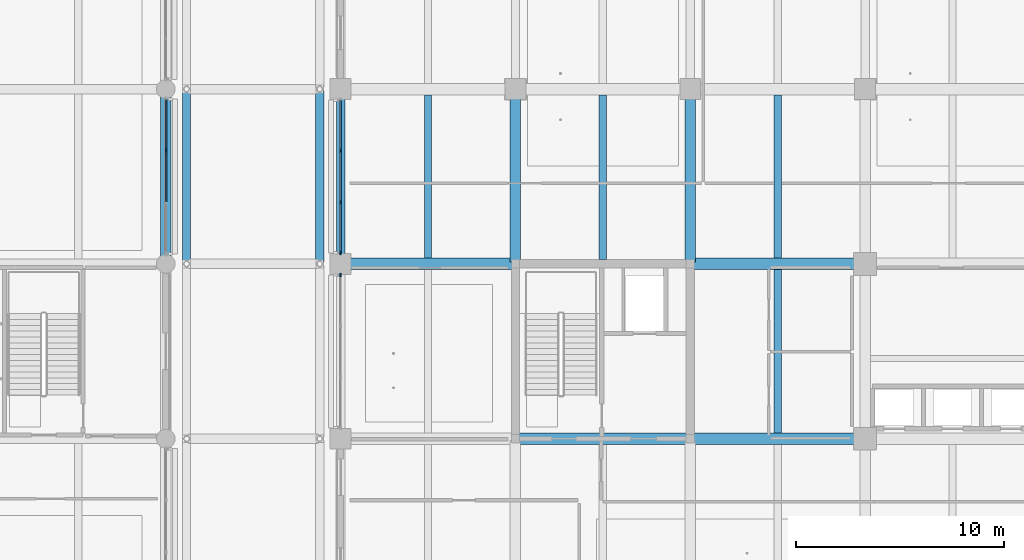
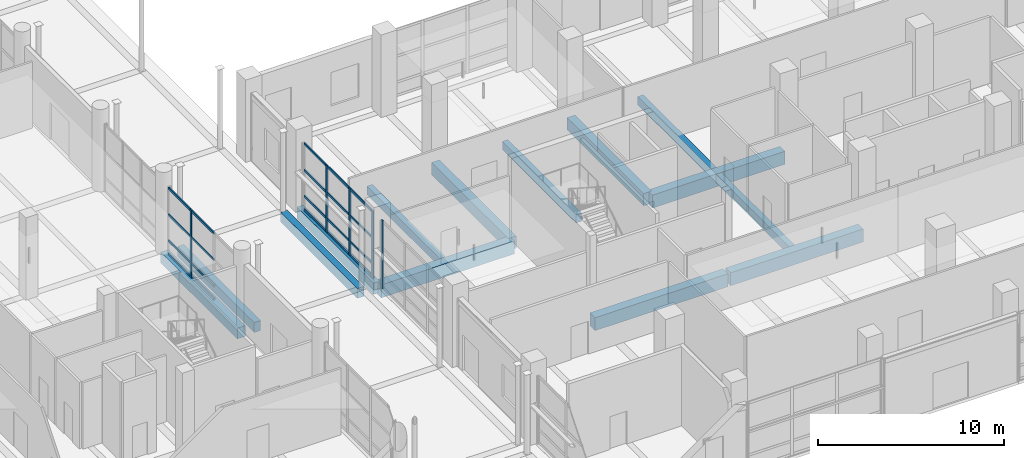
# One storey, part 22 of 140: 25 members, 14 beams, 3 elements without a shape of their own.
"""IFC4 building model written with IfcOpenShell, lengths in metres."""

import ifcopenshell
import ifcopenshell.guid

model = None  # the IFC model being written
_history = None  # IfcOwnerHistory: only IFC2X3 demands one
_inside = {}  # id of a spatial element -> (the spatial element, [elements in it])
_under = {}  # id of a project, library or spatial element -> (it, [spatial elements below it])
_declared = {}  # id of a project -> (the project, [libraries it declares])
_typed = {}  # id of a type object -> (the type object, [elements of that type])
_made_of = {}  # id of a material, layer set ... -> (it, [elements and type objects made of it])


def new_model(schema):
    """Start an empty IFC model of exactly this schema.

    Asked for "IFC4X3", IfcOpenShell would pick the latest addendum, in which some entities
    have other attributes; the version numbers below select the first issue.
    IFC2X3 requires an IfcOwnerHistory on every rooted entity: one is made here for all.
    """
    global model, _history
    if schema == "IFC4X3":
        model = ifcopenshell.file(schema_version=(4, 3, 0, 0))
    else:
        model = ifcopenshell.file(schema=schema)
    _inside.clear()
    _under.clear()
    _declared.clear()
    _typed.clear()
    _made_of.clear()
    _history = None
    if model.schema == "IFC2X3":
        org = make("IfcOrganization", Name="unknown")
        user = make(
            "IfcPersonAndOrganization",
            ThePerson=make("IfcPerson", FamilyName="unknown"),
            TheOrganization=org,
        )
        app = make(
            "IfcApplication",
            ApplicationDeveloper=org,
            Version="unknown",
            ApplicationFullName="unknown",
            ApplicationIdentifier="unknown",
        )
        _history = make(
            "IfcOwnerHistory",
            OwningUser=user,
            OwningApplication=app,
            ChangeAction="ADDED",
            CreationDate=0,
        )
    return model


def make(cls, **values):
    """One entity of the class cls with the attributes given. An attribute that is None is left unset."""
    return model.create_entity(
        cls, **{name: value for name, value in values.items() if value is not None}
    )


def rooted(cls, **values):
    """An entity with a GlobalId (a new one), such as an element, a storey or a relation."""
    return make(cls, GlobalId=ifcopenshell.guid.new(), OwnerHistory=_history, **values)


def si_unit(unit_type, name, prefix=None):
    """IfcSIUnit, for example si_unit("LENGTHUNIT", "METRE", prefix="MILLI")."""
    return make("IfcSIUnit", UnitType=unit_type, Prefix=prefix, Name=name)


def assignment(units):
    """IfcUnitAssignment: the units of a project."""
    return None if units is None else make("IfcUnitAssignment", Units=units)


def point(xyz):
    """IfcCartesianPoint."""
    return None if xyz is None else make("IfcCartesianPoint", Coordinates=xyz)


def direction(xyz):
    """IfcDirection."""
    return None if xyz is None else make("IfcDirection", DirectionRatios=xyz)


def frame(location, z_axis=None, x_axis=None):
    """IfcAxis2Placement3D, a coordinate frame: its origin and axes. An axis left out is left unset."""
    return make(
        "IfcAxis2Placement3D",
        Location=point(location),
        Axis=direction(z_axis),
        RefDirection=direction(x_axis),
    )


def frame_2d(location, x_axis=None):
    """IfcAxis2Placement2D, a coordinate frame in the plane: its origin and x axis."""
    return make(
        "IfcAxis2Placement2D", Location=point(location), RefDirection=direction(x_axis)
    )


def origin():
    """The frame at (0, 0, 0) with its axes left unset."""
    return frame((0.0, 0.0, 0.0))


def origin_2d():
    """The frame at (0, 0) in the plane with its x axis left unset."""
    return frame_2d((0.0, 0.0))


def place(relative_to, where):
    """IfcLocalPlacement: puts the frame where relative to a parent placement (None: the world)."""
    return make(
        "IfcLocalPlacement", PlacementRelTo=relative_to, RelativePlacement=where
    )


def context(
    kind, dimensions, precision=None, world=None, true_north=None, identifier=None
):
    """IfcGeometricRepresentationContext, for example the 3D "Model" context."""
    return make(
        "IfcGeometricRepresentationContext",
        ContextIdentifier=identifier,
        ContextType=kind,
        CoordinateSpaceDimension=dimensions,
        Precision=precision,
        WorldCoordinateSystem=world,
        TrueNorth=true_north,
    )


def subcontext(parent, identifier, kind, view, scale=None):
    """IfcGeometricRepresentationSubContext, for example "Body" below "Model"."""
    return make(
        "IfcGeometricRepresentationSubContext",
        ContextIdentifier=identifier,
        ContextType=kind,
        ParentContext=parent,
        TargetScale=scale,
        TargetView=view,
    )


def project(units=None, contexts=None):
    """IfcProject with its units and contexts."""
    return rooted(
        "IfcProject",
        Name="project",
        RepresentationContexts=contexts,
        UnitsInContext=assignment(units),
    )


def spatial(cls, under=None, at=None, **own):
    """A site, building, storey or space (cls), placed at a placement, below another one or the project."""
    s = rooted(cls, ObjectPlacement=at, **own)
    if under is not None:
        _under.setdefault(under.id(), (under, []))[1].append(s)
    return s


def profile(cls, at=None, kind="AREA", **sizes):
    """A parametric profile (cls). Its sizes go by their IFC names, for example OverallWidth=200.0."""
    return make(cls, ProfileType=kind, Position=at, **sizes)


def rectangle(**sizes):
    """IfcRectangleProfileDef."""
    return profile("IfcRectangleProfileDef", **sizes)


def extrude(swept, where, along, depth):
    """IfcExtrudedAreaSolid: the profile swept, set in the frame where, extruded along a direction by depth."""
    return make(
        "IfcExtrudedAreaSolid",
        SweptArea=swept,
        Position=where,
        ExtrudedDirection=direction(along),
        Depth=depth,
    )


def shape(context_of_items, identifier, shape_type, items):
    """IfcShapeRepresentation: the items that make up one representation, for example the "Body"."""
    return make(
        "IfcShapeRepresentation",
        ContextOfItems=context_of_items,
        RepresentationIdentifier=identifier,
        RepresentationType=shape_type,
        Items=items,
    )


def material(Name=None, Category=None):
    """IfcMaterial."""
    return make("IfcMaterial", Name=Name, Category=Category)


def layer(
    of_material, thickness, ventilated=None, Name=None, Category=None, Priority=None
):
    """IfcMaterialLayer: one layer of a wall or slab, of a material (None: an air gap)."""
    return make(
        "IfcMaterialLayer",
        Material=of_material,
        LayerThickness=thickness,
        IsVentilated=ventilated,
        Name=Name,
        Category=Category,
        Priority=Priority,
    )


def layer_set(layers, Name=None):
    """IfcMaterialLayerSet."""
    return make("IfcMaterialLayerSet", MaterialLayers=layers, LayerSetName=Name)


def material_profile(
    of_material, cross_section, Name=None, Category=None, Priority=None
):
    """IfcMaterialProfile: a cross section and its material."""
    return make(
        "IfcMaterialProfile",
        Name=Name,
        Material=of_material,
        Profile=cross_section,
        Priority=Priority,
        Category=Category,
    )


def profile_set(profiles, Name=None, composite=None):
    """IfcMaterialProfileSet."""
    return make(
        "IfcMaterialProfileSet",
        Name=Name,
        MaterialProfiles=profiles,
        CompositeProfile=composite,
    )


def made_of(thing, what):
    """Note that an element or type object is made of a material, layer set ...; save() writes the relation."""
    if what is not None:
        _made_of.setdefault(what.id(), (what, []))[1].append(thing)
    return thing


def type_object(cls, material=None, **own):
    """A type object (cls), such as IfcWallType, which elements share."""
    return made_of(rooted(cls, **own), material)


def element(
    cls,
    number,
    at=None,
    inside=None,
    cuts=None,
    type_object=None,
    material=None,
    context=None,
    identifier="Body",
    shape_type=None,
    held_by="IfcProductDefinitionShape",
    body=None,
    shapes=None,
    **own,
):
    """One element of the class cls, such as IfcWall. Its Tag is "e" and its number.

    at: its placement. inside: the storey or other place that contains it. cuts: it is an
    opening in that element (IfcRelVoidsElement). A single representation is given by context,
    identifier, shape_type and body (its items); several are given by shapes. held_by: the class
    of the entity that holds the representations. save() writes the other relations.
    """
    e = rooted(cls, Tag="e%d" % number, ObjectPlacement=at, **own)
    if body is not None:
        shapes = [shape(context, identifier, shape_type, body)]
    if shapes is not None:
        e.Representation = make(held_by, Representations=shapes)
    if inside is not None:
        _inside.setdefault(inside.id(), (inside, []))[1].append(e)
    if cuts is not None:
        rooted(
            "IfcRelVoidsElement", RelatingBuildingElement=cuts, RelatedOpeningElement=e
        )
    if type_object is not None:
        _typed.setdefault(type_object.id(), (type_object, []))[1].append(e)
    return made_of(e, material)


def aggregate(whole, parts):
    """IfcRelAggregates: a whole, such as a stair, and the parts it consists of."""
    return rooted("IfcRelAggregates", RelatingObject=whole, RelatedObjects=parts)


def save(model, path):
    """Write the relations noted so far, then the file.

    IfcRelAggregates (storeys below a building ...), IfcRelContainedInSpatialStructure (elements
    in a storey), IfcRelDefinesByType, IfcRelAssociatesMaterial and IfcRelDeclares: one each for
    every whole, place, type object, material and project.
    """
    for whole, parts in _under.values():
        aggregate(whole, parts)
    for where, things in _inside.values():
        rooted(
            "IfcRelContainedInSpatialStructure",
            RelatedElements=things,
            RelatingStructure=where,
        )
    for kind, things in _typed.values():
        rooted("IfcRelDefinesByType", RelatedObjects=things, RelatingType=kind)
    for what, things in _made_of.values():
        rooted("IfcRelAssociatesMaterial", RelatedObjects=things, RelatingMaterial=what)
    for by, libraries in _declared.values():
        rooted("IfcRelDeclares", RelatingContext=by, RelatedDefinitions=libraries)
    model.write(path)


model = new_model("IFC4")

# Units and contexts
model_context = context("Model", 3, precision=1e-05, world=origin(), true_north=direction((0.0, 1.0)))
body_context = subcontext(model_context, "Body", "Model", "MODEL_VIEW")
ifc_project = project(units=[si_unit("LENGTHUNIT", "METRE"), si_unit("AREAUNIT", "SQUARE_METRE"), si_unit("VOLUMEUNIT", "CUBIC_METRE"), si_unit("PLANEANGLEUNIT", "RADIAN"), si_unit("MASSUNIT", "GRAM", prefix="KILO")], contexts=[model_context])

# Site, building, storey
site_placement = place(None, origin())
site = spatial("IfcSite", under=ifc_project, at=site_placement, CompositionType="ELEMENT")
building_placement = place(site_placement, origin())
building = spatial("IfcBuilding", under=site, at=building_placement, Name="Telukmera Botanical Conservatory", CompositionType="ELEMENT")
storey_placement = place(building_placement, origin())
storey = spatial("IfcBuildingStorey", under=building, at=storey_placement, Name="L00", CompositionType="ELEMENT", Elevation=0.0)

# Beams
ifc_material_1 = material(Name="Concrete C40/50", Category="concrete")
ifc_material_profile_1 = material_profile(ifc_material_1, rectangle(XDim=0.5, YDim=0.699951171875, at=origin_2d()), Name="RC 500x700")
ifc_profile_set_1 = profile_set([ifc_material_profile_1], Name="Concrete C40/50")
beam_type_1 = type_object("IfcBeamType", Name="Beam_B14", PredefinedType="BEAM", material=ifc_profile_set_1)
beam_1_placement = place(storey_placement, frame((42.0, 34.47998046875, -0.35009765625), z_axis=(0.0, 1.0, 0.0), x_axis=(-1.0, 0.0, 0.0)))
element("IfcBeam", 1, at=beam_1_placement, inside=storey, type_object=beam_type_1, Name="Visitor Wing Transverse Beam L00", PredefinedType="BEAM", context=body_context, shape_type="SweptSolid", body=[
    extrude(rectangle(XDim=0.5, YDim=0.699951171875, at=origin_2d()), origin(), (0.0, 0.0, 1.0), 8.239990234375),
])
ifc_material_profile_2 = material_profile(ifc_material_1, rectangle(XDim=0.35009765625, YDim=0.550048828125, at=origin_2d()), Name="RC 350x550")
ifc_profile_set_2 = profile_set([ifc_material_profile_2], Name="Concrete C40/50")
beam_type_2 = type_object("IfcBeamType", Name="Beam_B21", PredefinedType="JOIST", material=ifc_profile_set_2)
beam_2_placement = place(storey_placement, frame((54.60009765625, 34.675048828125, -0.27490234375), z_axis=(0.0, 1.0, 0.0), x_axis=(-1.0, 0.0, 0.0)))
element("IfcBeam", 2, at=beam_2_placement, inside=storey, type_object=beam_type_2, Name="Tower Secondary Floor Joist L00", PredefinedType="JOIST", context=body_context, shape_type="SweptSolid", body=[
    extrude(rectangle(XDim=0.35009765625, YDim=0.550048828125, at=origin_2d()), origin(), (0.0, 0.0, 1.0), 7.849853515625),
])
beam_3_placement = place(storey_placement, frame((63.0, 34.60009765625, -0.27490234375), z_axis=(0.0, 1.0, 0.0), x_axis=(-1.0, 0.0, 0.0)))
element("IfcBeam", 3, at=beam_3_placement, inside=storey, type_object=beam_type_2, Name="Tower Secondary Floor Joist L00", PredefinedType="JOIST", context=body_context, shape_type="SweptSolid", body=[
    extrude(rectangle(XDim=0.35009765625, YDim=0.550048828125, at=origin_2d()), origin(), (0.0, 0.0, 1.0), 7.9248046875),
])
beam_4_placement = place(storey_placement, frame((71.39990234375, 26.27490234375, -0.27490234375), z_axis=(0.0, 1.0, 0.0), x_axis=(-1.0, 0.0, 0.0)))
element("IfcBeam", 4, at=beam_4_placement, inside=storey, type_object=beam_type_2, Name="Tower Secondary Floor Joist L00", PredefinedType="JOIST", context=body_context, shape_type="SweptSolid", body=[
    extrude(rectangle(XDim=0.35009765625, YDim=0.550048828125, at=origin_2d()), origin(), (0.0, 0.0, 1.0), 7.85009765625),
])
beam_5_placement = place(storey_placement, frame((71.39990234375, 34.675048828125, -0.27490234375), z_axis=(0.0, 1.0, 0.0), x_axis=(-1.0, 0.0, 0.0)))
element("IfcBeam", 5, at=beam_5_placement, inside=storey, type_object=beam_type_2, Name="Tower Secondary Floor Joist L00", PredefinedType="JOIST", context=body_context, shape_type="SweptSolid", body=[
    extrude(rectangle(XDim=0.35009765625, YDim=0.550048828125, at=origin_2d()), origin(), (0.0, 0.0, 1.0), 7.849853515625),
])
ifc_material_profile_3 = material_profile(ifc_material_1, rectangle(XDim=0.550048828125, YDim=0.85009765625, at=origin_2d()), Name="RC 550x850")
ifc_profile_set_3 = profile_set([ifc_material_profile_3], Name="Concrete C40/50")
beam_type_3 = type_object("IfcBeamType", Name="Beam_B4", PredefinedType="BEAM", material=ifc_profile_set_3)
beam_6_placement = place(storey_placement, frame((58.8798828125, 26.0, -0.425048828125), z_axis=(1.0, 0.0, 0.0), x_axis=(0.0, 1.0, 0.0)))
element("IfcBeam", 6, at=beam_6_placement, inside=storey, type_object=beam_type_3, Name="Tower Grid Beam L00", PredefinedType="BEAM", context=body_context, shape_type="SweptSolid", body=[
    extrude(rectangle(XDim=0.550048828125, YDim=0.85009765625, at=origin_2d()), origin(), (0.0, 0.0, 1.0), 8.240234375),
])
for number, where, z_axis, x_axis, name in (
    (7, (67.280029296875, 26.0, -0.425048828125), (1.0, 0.0, 0.0), (0.0, 1.0, 0.0), "Tower Grid Beam L00"),
    (8, (50.47998046875, 34.39990234375, -0.425048828125), (1.0, 0.0, 0.0), (0.0, 1.0, 0.0), "Tower Grid Beam L00"),
    (9, (67.280029296875, 34.39990234375, -0.425048828125), (1.0, 0.0, 0.0), (0.0, 1.0, 0.0), "Tower Grid Beam L00"),
):
    element("IfcBeam", number, at=place(storey_placement, frame(where, z_axis=z_axis, x_axis=x_axis)), inside=storey, type_object=beam_type_3, Name=name, PredefinedType="BEAM", context=body_context, shape_type="SweptSolid", body=[
        extrude(rectangle(XDim=0.550048828125, YDim=0.85009765625, at=origin_2d()), origin(), (0.0, 0.0, 1.0), 8.239990234375),
    ])
ifc_material_profile_4 = material_profile(ifc_material_1, rectangle(XDim=0.5, YDim=0.800048828125, at=origin_2d()), Name="RC 500x800")
ifc_profile_set_4 = profile_set([ifc_material_profile_4], Name="Concrete C40/50")
beam_type_4 = type_object("IfcBeamType", Name="Beam_B5", PredefinedType="BEAM", material=ifc_profile_set_4)
for number, where, z_axis, x_axis, name in (
    (10, (58.800048828125, 34.47998046875, -0.39990234375), (0.0, 1.0, 0.0), (-1.0, 0.0, 0.0), "Tower Transverse Beam L00"),
    (11, (67.199951171875, 34.47998046875, -0.39990234375), (0.0, 1.0, 0.0), (-1.0, 0.0, 0.0), "Tower Transverse Beam L00"),
):
    element("IfcBeam", number, at=place(storey_placement, frame(where, z_axis=z_axis, x_axis=x_axis)), inside=storey, type_object=beam_type_4, Name=name, PredefinedType="BEAM", context=body_context, shape_type="SweptSolid", body=[
        extrude(rectangle(XDim=0.5, YDim=0.800048828125, at=origin_2d()), origin(), (0.0, 0.0, 1.0), 8.239990234375),
    ])
ifc_material_profile_5 = material_profile(ifc_material_1, rectangle(XDim=0.39990234375, YDim=0.64990234375, at=origin_2d()), Name="RC 400x650")
ifc_profile_set_5 = profile_set([ifc_material_profile_5], Name="Concrete C40/50")
beam_type_5 = type_object("IfcBeamType", Name="Beam_B8", PredefinedType="BEAM", material=ifc_profile_set_5)
for number, where, z_axis, x_axis, name in (
    (12, (43.0, 34.47998046875, -0.324951171875), (0.0, 1.0, 0.0), (-1.0, 0.0, 0.0), "West Arcade Deck Girder L00"),
    (13, (49.39990234375, 34.47998046875, -0.324951171875), (0.0, 1.0, 0.0), (-1.0, 0.0, 0.0), "West Arcade Deck Girder L00"),
):
    element("IfcBeam", number, at=place(storey_placement, frame(where, z_axis=z_axis, x_axis=x_axis)), inside=storey, type_object=beam_type_5, Name=name, PredefinedType="BEAM", context=body_context, shape_type="SweptSolid", body=[
        extrude(rectangle(XDim=0.39990234375, YDim=0.64990234375, at=origin_2d()), origin(), (0.0, 0.0, 1.0), 8.239990234375),
    ])
ifc_material_2 = material(Name="Precast concrete C40/50", Category="concrete")
ifc_material_profile_6 = material_profile(ifc_material_2, rectangle(XDim=0.39990234375, YDim=0.75, at=origin_2d()), Name="PC 400x750")
ifc_profile_set_6 = profile_set([ifc_material_profile_6], Name="Precast concrete C40/50")
beam_type_6 = type_object("IfcBeamType", Name="Beam_SP1", PredefinedType="SPANDREL", material=ifc_profile_set_6)
beam_7_placement = place(storey_placement, frame((50.39990234375, 34.47998046875, -0.375), z_axis=(0.0, 1.0, 0.0), x_axis=(-1.0, 0.0, 0.0)))
element("IfcBeam", 14, at=beam_7_placement, inside=storey, type_object=beam_type_6, Name="Tower Transverse Beam L00", PredefinedType="SPANDREL", context=body_context, shape_type="SweptSolid", body=[
    extrude(rectangle(XDim=0.39990234375, YDim=0.75, at=origin_2d()), origin(), (0.0, 0.0, 1.0), 8.239990234375),
])

# Curtain wall, member
ifc_material_3 = material(Name="Anodised aluminium 6063-T6", Category="aluminium")
ifc_layer_1 = layer(ifc_material_3, 0.179931640625)
ifc_layer_set_1 = layer_set([ifc_layer_1], Name="Anodised aluminium 6063-T6")
curtain_wall_type_1 = type_object("IfcCurtainWallType", Name="Visitor Colonnade Ground Curtain Wall 2400 Mod", PredefinedType="USERDEFINED", material=ifc_layer_set_1)
curtain_wall_1_placement = place(storey_placement, origin())
curtain_wall_1 = element("IfcCurtainWall", 15, at=curtain_wall_1_placement, inside=storey, type_object=curtain_wall_type_1, Name="Unitised Curtain Wall CW07 V3:L00:E3", ObjectType="UNITISED CURTAIN WALL", PredefinedType="USERDEFINED")
ifc_material_profile_7 = material_profile(ifc_material_3, rectangle(XDim=0.070068359375, YDim=0.179931640625, at=origin_2d()), Name="ALU MULL 70x180")
ifc_profile_set_7 = profile_set([ifc_material_profile_7], Name="Anodised aluminium 6063-T6")
member_type_1 = type_object("IfcMemberType", Name="Curtain Wall Extruded Mullion 70x180", PredefinedType="MULLION", material=ifc_profile_set_7)
member_1_placement = place(storey_placement, frame((42.0, 39.849365234375, 0.0), z_axis=(0.0, 0.0, 1.0), x_axis=(-1.0, 0.0, 0.0)))
member_1 = element("IfcMember", 16, at=member_1_placement, type_object=member_type_1, Name="CW07 mullion 3", PredefinedType="MULLION", context=body_context, shape_type="SweptSolid", body=[
    extrude(rectangle(XDim=0.070068359375, YDim=0.179931640625, at=origin_2d()), origin(), (0.0, 0.0, 1.0), 4.449951171875),
])

ifc_layer_2 = layer(ifc_material_3, 0.179931640625)
ifc_layer_set_2 = layer_set([ifc_layer_2], Name="Anodised aluminium 6063-T6")
curtain_wall_type_2 = type_object("IfcCurtainWallType", Name="Tower Boulevard Podium Hall Curtain Wall", PredefinedType="USERDEFINED", material=ifc_layer_set_2)
curtain_wall_2_placement = place(storey_placement, origin())
curtain_wall_2 = element("IfcCurtainWall", 17, at=curtain_wall_2_placement, inside=storey, type_object=curtain_wall_type_2, Name="Unitised Curtain Wall CW12 V4:L00:W3", ObjectType="UNITISED CURTAIN WALL", PredefinedType="USERDEFINED")
member_2_placement = place(storey_placement, frame((50.39990234375, 33.863037109375, 0.0), z_axis=(0.0, 0.0, 1.0), x_axis=(-1.0, 0.0, 0.0)))
member_2 = element("IfcMember", 18, at=member_2_placement, type_object=member_type_1, Name="CW12 mullion 4", PredefinedType="MULLION", context=body_context, shape_type="SweptSolid", body=[
    extrude(rectangle(XDim=0.070068359375, YDim=0.179931640625, at=origin_2d()), origin(), (0.0, 0.0, 1.0), 4.449951171875),
])
aggregate(curtain_wall_2, [member_2])

# Curtain wall, members
curtain_wall_3_placement = place(storey_placement, origin())
curtain_wall_3 = element("IfcCurtainWall", 19, at=curtain_wall_3_placement, inside=storey, type_object=curtain_wall_type_2, Name="Unitised Curtain Wall CW12 V4:L00:W4", ObjectType="UNITISED CURTAIN WALL", PredefinedType="USERDEFINED")
member_3_placement = place(storey_placement, frame((50.39990234375, 34.93701171875, 0.0), z_axis=(0.0, 0.0, 1.0), x_axis=(-1.0, 0.0, 0.0)))
member_3 = element("IfcMember", 20, at=member_3_placement, type_object=member_type_1, Name="CW12 mullion 1", PredefinedType="MULLION", context=body_context, shape_type="SweptSolid", body=[
    extrude(rectangle(XDim=0.070068359375, YDim=0.179931640625, at=origin_2d()), origin(), (0.0, 0.0, 1.0), 4.449951171875),
])
member_4_placement = place(storey_placement, frame((50.39990234375, 37.367431640625, 0.0), z_axis=(0.0, 0.0, 1.0), x_axis=(-1.0, 0.0, 0.0)))
member_4 = element("IfcMember", 21, at=member_4_placement, type_object=member_type_1, Name="CW12 mullion 2", PredefinedType="MULLION", context=body_context, shape_type="SweptSolid", body=[
    extrude(rectangle(XDim=0.070068359375, YDim=0.179931640625, at=origin_2d()), origin(), (0.0, 0.0, 1.0), 4.449951171875),
])
member_5_placement = place(storey_placement, frame((50.39990234375, 39.832763671875, 0.0), z_axis=(0.0, 0.0, 1.0), x_axis=(-1.0, 0.0, 0.0)))
member_5 = element("IfcMember", 22, at=member_5_placement, type_object=member_type_1, Name="CW12 mullion 3", PredefinedType="MULLION", context=body_context, shape_type="SweptSolid", body=[
    extrude(rectangle(XDim=0.070068359375, YDim=0.179931640625, at=origin_2d()), origin(), (0.0, 0.0, 1.0), 4.449951171875),
])

# Member
ifc_material_profile_8 = material_profile(ifc_material_3, rectangle(XDim=0.070068359375, YDim=0.14990234375, at=origin_2d()), Name="ALU TRAN 70x150")
ifc_profile_set_8 = profile_set([ifc_material_profile_8], Name="Anodised aluminium 6063-T6")
member_type_2 = type_object("IfcMemberType", Name="Curtain Wall Extruded Transom 70x150", PredefinedType="USERDEFINED", material=ifc_profile_set_8)
member_6_placement = place(storey_placement, frame((42.0, 37.3857421875, 0.074951171875), z_axis=(0.0, 1.0, 0.0), x_axis=(-1.0, 0.0, 0.0)))
member_6 = element("IfcMember", 23, at=member_6_placement, type_object=member_type_2, Name="CW07 transom 2.1", ObjectType="TRANSOM", PredefinedType="USERDEFINED", context=body_context, shape_type="SweptSolid", body=[
    extrude(rectangle(XDim=0.070068359375, YDim=0.14990234375, at=origin_2d()), origin(), (0.0, 0.0, 1.0), 2.4287109375),
])

member_7_placement = place(storey_placement, frame((42.0, 37.3857421875, 0.949951171875), z_axis=(0.0, 1.0, 0.0), x_axis=(-1.0, 0.0, 0.0)))
member_7 = element("IfcMember", 24, at=member_7_placement, type_object=member_type_2, Name="CW07 transom 2.2", ObjectType="TRANSOM", PredefinedType="USERDEFINED", context=body_context, shape_type="SweptSolid", body=[
    extrude(rectangle(XDim=0.070068359375, YDim=0.14990234375, at=origin_2d()), origin(), (0.0, 0.0, 1.0), 2.4287109375),
])

member_8_placement = place(storey_placement, frame((42.0, 37.3857421875, 2.64990234375), z_axis=(0.0, 1.0, 0.0), x_axis=(-1.0, 0.0, 0.0)))
member_8 = element("IfcMember", 25, at=member_8_placement, type_object=member_type_2, Name="CW07 transom 2.3", ObjectType="TRANSOM", PredefinedType="USERDEFINED", context=body_context, shape_type="SweptSolid", body=[
    extrude(rectangle(XDim=0.070068359375, YDim=0.14990234375, at=origin_2d()), origin(), (0.0, 0.0, 1.0), 2.4287109375),
])

member_9_placement = place(storey_placement, frame((42.0, 37.3857421875, 4.375), z_axis=(0.0, 1.0, 0.0), x_axis=(-1.0, 0.0, 0.0)))
member_9 = element("IfcMember", 26, at=member_9_placement, type_object=member_type_2, Name="CW07 transom 2.4", ObjectType="TRANSOM", PredefinedType="USERDEFINED", context=body_context, shape_type="SweptSolid", body=[
    extrude(rectangle(XDim=0.070068359375, YDim=0.14990234375, at=origin_2d()), origin(), (0.0, 0.0, 1.0), 2.4287109375),
])

member_10_placement = place(storey_placement, frame((42.0, 39.88427734375, 0.074951171875), z_axis=(0.0, 1.0, 0.0), x_axis=(-1.0, 0.0, 0.0)))
member_10 = element("IfcMember", 27, at=member_10_placement, type_object=member_type_2, Name="CW07 transom 3.1", ObjectType="TRANSOM", PredefinedType="USERDEFINED", context=body_context, shape_type="SweptSolid", body=[
    extrude(rectangle(XDim=0.070068359375, YDim=0.14990234375, at=origin_2d()), origin(), (0.0, 0.0, 1.0), 2.393798828125),
])

member_11_placement = place(storey_placement, frame((42.0, 39.88427734375, 0.949951171875), z_axis=(0.0, 1.0, 0.0), x_axis=(-1.0, 0.0, 0.0)))
member_11 = element("IfcMember", 28, at=member_11_placement, type_object=member_type_2, Name="CW07 transom 3.2", ObjectType="TRANSOM", PredefinedType="USERDEFINED", context=body_context, shape_type="SweptSolid", body=[
    extrude(rectangle(XDim=0.070068359375, YDim=0.14990234375, at=origin_2d()), origin(), (0.0, 0.0, 1.0), 2.393798828125),
])

member_12_placement = place(storey_placement, frame((42.0, 39.88427734375, 2.64990234375), z_axis=(0.0, 1.0, 0.0), x_axis=(-1.0, 0.0, 0.0)))
member_12 = element("IfcMember", 29, at=member_12_placement, type_object=member_type_2, Name="CW07 transom 3.3", ObjectType="TRANSOM", PredefinedType="USERDEFINED", context=body_context, shape_type="SweptSolid", body=[
    extrude(rectangle(XDim=0.070068359375, YDim=0.14990234375, at=origin_2d()), origin(), (0.0, 0.0, 1.0), 2.393798828125),
])

member_13_placement = place(storey_placement, frame((42.0, 39.88427734375, 4.375), z_axis=(0.0, 1.0, 0.0), x_axis=(-1.0, 0.0, 0.0)))
member_13 = element("IfcMember", 30, at=member_13_placement, type_object=member_type_2, Name="CW07 transom 3.4", ObjectType="TRANSOM", PredefinedType="USERDEFINED", context=body_context, shape_type="SweptSolid", body=[
    extrude(rectangle(XDim=0.070068359375, YDim=0.14990234375, at=origin_2d()), origin(), (0.0, 0.0, 1.0), 2.393798828125),
])

aggregate(curtain_wall_1, [member_1, member_6, member_7, member_8, member_9, member_10, member_11, member_12, member_13])

member_14_placement = place(storey_placement, frame((50.39990234375, 34.971923828125, 0.074951171875), z_axis=(0.0, 1.0, 0.0), x_axis=(-1.0, 0.0, 0.0)))
member_14 = element("IfcMember", 31, at=member_14_placement, type_object=member_type_2, Name="CW12 transom 1.1", ObjectType="TRANSOM", PredefinedType="USERDEFINED", context=body_context, shape_type="SweptSolid", body=[
    extrude(rectangle(XDim=0.070068359375, YDim=0.14990234375, at=origin_2d()), origin(), (0.0, 0.0, 1.0), 2.3603515625),
])

member_15_placement = place(storey_placement, frame((50.39990234375, 34.971923828125, 0.949951171875), z_axis=(0.0, 1.0, 0.0), x_axis=(-1.0, 0.0, 0.0)))
member_15 = element("IfcMember", 32, at=member_15_placement, type_object=member_type_2, Name="CW12 transom 1.2", ObjectType="TRANSOM", PredefinedType="USERDEFINED", context=body_context, shape_type="SweptSolid", body=[
    extrude(rectangle(XDim=0.070068359375, YDim=0.14990234375, at=origin_2d()), origin(), (0.0, 0.0, 1.0), 2.3603515625),
])

member_16_placement = place(storey_placement, frame((50.39990234375, 34.971923828125, 2.64990234375), z_axis=(0.0, 1.0, 0.0), x_axis=(-1.0, 0.0, 0.0)))
member_16 = element("IfcMember", 33, at=member_16_placement, type_object=member_type_2, Name="CW12 transom 1.3", ObjectType="TRANSOM", PredefinedType="USERDEFINED", context=body_context, shape_type="SweptSolid", body=[
    extrude(rectangle(XDim=0.070068359375, YDim=0.14990234375, at=origin_2d()), origin(), (0.0, 0.0, 1.0), 2.3603515625),
])

member_17_placement = place(storey_placement, frame((50.39990234375, 34.971923828125, 4.375), z_axis=(0.0, 1.0, 0.0), x_axis=(-1.0, 0.0, 0.0)))
member_17 = element("IfcMember", 34, at=member_17_placement, type_object=member_type_2, Name="CW12 transom 1.4", ObjectType="TRANSOM", PredefinedType="USERDEFINED", context=body_context, shape_type="SweptSolid", body=[
    extrude(rectangle(XDim=0.070068359375, YDim=0.14990234375, at=origin_2d()), origin(), (0.0, 0.0, 1.0), 2.3603515625),
])

member_18_placement = place(storey_placement, frame((50.39990234375, 37.40234375, 0.074951171875), z_axis=(0.0, 1.0, 0.0), x_axis=(-1.0, 0.0, 0.0)))
member_18 = element("IfcMember", 35, at=member_18_placement, type_object=member_type_2, Name="CW12 transom 2.1", ObjectType="TRANSOM", PredefinedType="USERDEFINED", context=body_context, shape_type="SweptSolid", body=[
    extrude(rectangle(XDim=0.070068359375, YDim=0.14990234375, at=origin_2d()), origin(), (0.0, 0.0, 1.0), 2.395263671875),
])

member_19_placement = place(storey_placement, frame((50.39990234375, 37.40234375, 0.949951171875), z_axis=(0.0, 1.0, 0.0), x_axis=(-1.0, 0.0, 0.0)))
member_19 = element("IfcMember", 36, at=member_19_placement, type_object=member_type_2, Name="CW12 transom 2.2", ObjectType="TRANSOM", PredefinedType="USERDEFINED", context=body_context, shape_type="SweptSolid", body=[
    extrude(rectangle(XDim=0.070068359375, YDim=0.14990234375, at=origin_2d()), origin(), (0.0, 0.0, 1.0), 2.395263671875),
])

member_20_placement = place(storey_placement, frame((50.39990234375, 37.40234375, 2.64990234375), z_axis=(0.0, 1.0, 0.0), x_axis=(-1.0, 0.0, 0.0)))
member_20 = element("IfcMember", 37, at=member_20_placement, type_object=member_type_2, Name="CW12 transom 2.3", ObjectType="TRANSOM", PredefinedType="USERDEFINED", context=body_context, shape_type="SweptSolid", body=[
    extrude(rectangle(XDim=0.070068359375, YDim=0.14990234375, at=origin_2d()), origin(), (0.0, 0.0, 1.0), 2.395263671875),
])

member_21_placement = place(storey_placement, frame((50.39990234375, 37.40234375, 4.375), z_axis=(0.0, 1.0, 0.0), x_axis=(-1.0, 0.0, 0.0)))
member_21 = element("IfcMember", 38, at=member_21_placement, type_object=member_type_2, Name="CW12 transom 2.4", ObjectType="TRANSOM", PredefinedType="USERDEFINED", context=body_context, shape_type="SweptSolid", body=[
    extrude(rectangle(XDim=0.070068359375, YDim=0.14990234375, at=origin_2d()), origin(), (0.0, 0.0, 1.0), 2.395263671875),
])

member_22_placement = place(storey_placement, frame((50.39990234375, 39.86767578125, 0.074951171875), z_axis=(0.0, 1.0, 0.0), x_axis=(-1.0, 0.0, 0.0)))
member_22 = element("IfcMember", 39, at=member_22_placement, type_object=member_type_2, Name="CW12 transom 3.1", ObjectType="TRANSOM", PredefinedType="USERDEFINED", context=body_context, shape_type="SweptSolid", body=[
    extrude(rectangle(XDim=0.070068359375, YDim=0.14990234375, at=origin_2d()), origin(), (0.0, 0.0, 1.0), 2.3603515625),
])

member_23_placement = place(storey_placement, frame((50.39990234375, 39.86767578125, 0.949951171875), z_axis=(0.0, 1.0, 0.0), x_axis=(-1.0, 0.0, 0.0)))
member_23 = element("IfcMember", 40, at=member_23_placement, type_object=member_type_2, Name="CW12 transom 3.2", ObjectType="TRANSOM", PredefinedType="USERDEFINED", context=body_context, shape_type="SweptSolid", body=[
    extrude(rectangle(XDim=0.070068359375, YDim=0.14990234375, at=origin_2d()), origin(), (0.0, 0.0, 1.0), 2.3603515625),
])

member_24_placement = place(storey_placement, frame((50.39990234375, 39.86767578125, 2.64990234375), z_axis=(0.0, 1.0, 0.0), x_axis=(-1.0, 0.0, 0.0)))
member_24 = element("IfcMember", 41, at=member_24_placement, type_object=member_type_2, Name="CW12 transom 3.3", ObjectType="TRANSOM", PredefinedType="USERDEFINED", context=body_context, shape_type="SweptSolid", body=[
    extrude(rectangle(XDim=0.070068359375, YDim=0.14990234375, at=origin_2d()), origin(), (0.0, 0.0, 1.0), 2.3603515625),
])

member_25_placement = place(storey_placement, frame((50.39990234375, 39.86767578125, 4.375), z_axis=(0.0, 1.0, 0.0), x_axis=(-1.0, 0.0, 0.0)))
member_25 = element("IfcMember", 42, at=member_25_placement, type_object=member_type_2, Name="CW12 transom 3.4", ObjectType="TRANSOM", PredefinedType="USERDEFINED", context=body_context, shape_type="SweptSolid", body=[
    extrude(rectangle(XDim=0.070068359375, YDim=0.14990234375, at=origin_2d()), origin(), (0.0, 0.0, 1.0), 2.3603515625),
])

aggregate(curtain_wall_3, [member_3, member_4, member_5, member_14, member_15, member_16, member_17, member_18, member_19, member_20, member_21, member_22, member_23, member_24, member_25])

save(model, "model.ifc")
